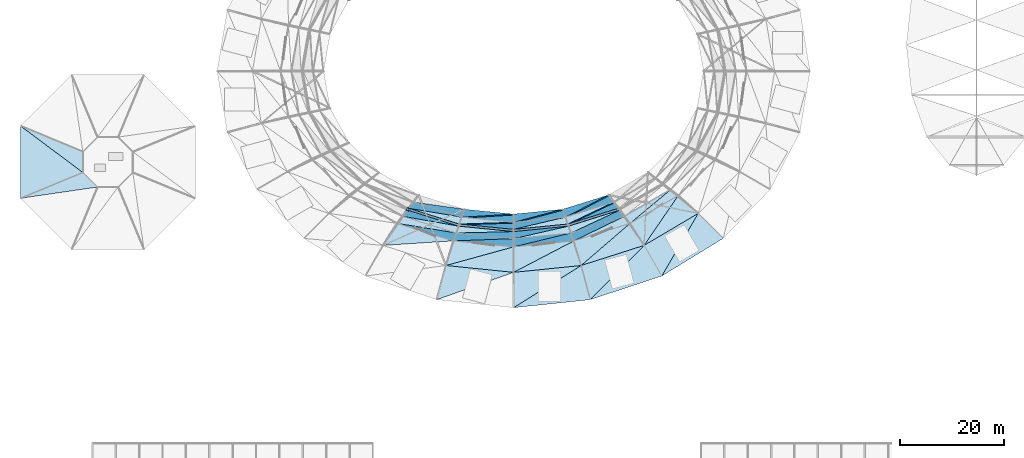
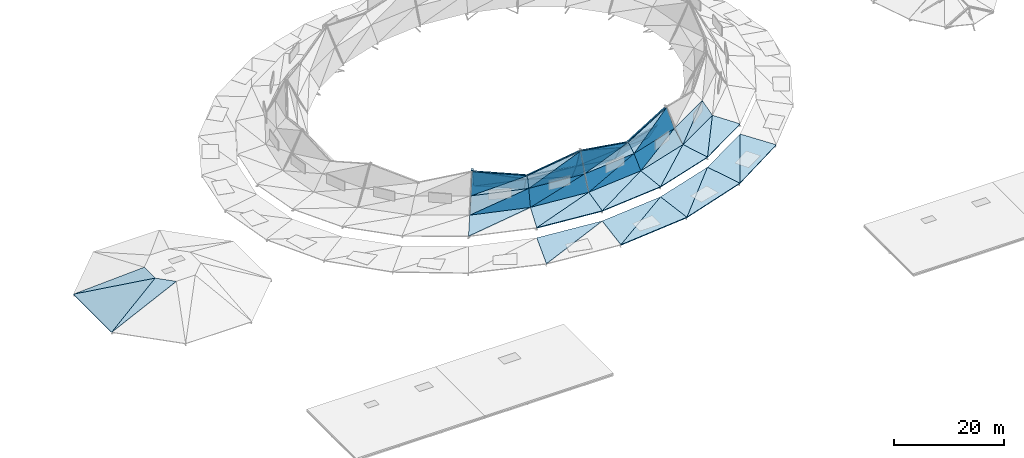
# One storey, part 26 of 36: 52 slabs, 1 plate.
"""IFC4 building model written with IfcOpenShell, lengths in metres."""

from ifc_helpers import new_model, si_unit, direction, frame, origin, origin_2d, place, context, subcontext, project, spatial, polyline, rectangle, outline, extrude, material, layer, layer_set, type_object, element, save


model = new_model("IFC4")

# Units and contexts
model_context = context("Model", 3, precision=1e-05, world=origin(), true_north=direction((0.0, 1.0)))
body_context = subcontext(model_context, "Body", "Model", "MODEL_VIEW")
ifc_project = project(units=[si_unit("LENGTHUNIT", "METRE"), si_unit("AREAUNIT", "SQUARE_METRE"), si_unit("VOLUMEUNIT", "CUBIC_METRE"), si_unit("PLANEANGLEUNIT", "RADIAN"), si_unit("MASSUNIT", "GRAM", prefix="KILO")], contexts=[model_context])

# Site, building, storey
site_placement = place(None, origin())
site = spatial("IfcSite", under=ifc_project, at=site_placement, CompositionType="ELEMENT")
building_placement = place(site_placement, origin())
building = spatial("IfcBuilding", under=site, at=building_placement, Name="Kildeholm Park Wholesale Market", CompositionType="ELEMENT")
storey_placement = place(building_placement, frame((0.0, 0.0, 17.39990234375)))
storey = spatial("IfcBuildingStorey", under=building, at=storey_placement, Name="Roof", CompositionType="ELEMENT", Elevation=17.39990234375)

# Slabs
ifc_material_1 = material(Name="Concrete C35/45", Category="concrete")
ifc_layer_1 = layer(ifc_material_1, 0.219970703125)
ifc_layer_set_1 = layer_set([ifc_layer_1], Name="Concrete C35/45")
slab_type = type_object("IfcSlabType", Name="Slab S-RF2 220 mm", PredefinedType="ROOF", material=ifc_layer_set_1)
slab_1_placement = place(storey_placement, frame((73.89990234375, 55.985107421875, -4.199951171875), z_axis=(-0.068746010816, -0.220024023769, 0.973069069985), x_axis=(0.994361215476, 0.063831673376, 0.084683473184)))
element("IfcSlab", 1, at=slab_1_placement, inside=storey, type_object=slab_type, Name="Upper white ceramic rim band 2 sector 17B SLB-0208", PredefinedType="ROOF", context=body_context, shape_type="SweptSolid", body=[
    extrude(outline(polyline([(0.0, 0.0), (13.58171129658954, -5.551115123125783e-17), (3.0532005705428262, 4.158632876396745), (0.0, 0.0)])), origin(), (0.0, 0.0, -1.0), 0.219970703125),
])
slab_2_placement = place(storey_placement, frame((76.60009765625, 60.22802734375, -3.0498046875), z_axis=(-0.264595419981, -0.846846941142, 0.461345339202), x_axis=(0.95449417592, -0.298229556107, 0.0)))
element("IfcSlab", 2, at=slab_2_placement, inside=storey, type_object=slab_type, Name="Arched gable roof facet 17-LOA SLB-0209", PredefinedType="ROOF", context=body_context, shape_type="SweptSolid", body=[
    extrude(outline(polyline([(0.0, 0.0), (11.320060313846767, 2.220446049250313e-16), (11.378889063432258, 3.4938924416241215), (0.0, 0.0)])), origin(), (0.0, 0.0, -1.0), 0.219970703125),
])
slab_3_placement = place(storey_placement, frame((76.60009765625, 60.22802734375, -3.0498046875), z_axis=(-0.264565280013, -0.846950011686, 0.461173384225), x_axis=(0.95283517462, -0.15583867868, 0.260421650856)))
element("IfcSlab", 3, at=slab_3_placement, inside=storey, type_object=slab_type, Name="Arched gable roof facet 17-LOB SLB-0210", PredefinedType="ROOF", context=body_context, shape_type="SweptSolid", body=[
    extrude(outline(polyline([(0.0, 0.0), (11.903209681070749, 4.440892098500626e-16), (1.5826645482760626, 3.168578160197448), (0.0, 0.0)])), origin(), (0.0, 0.0, -1.0), 0.219970703125),
])
slab_4_placement = place(storey_placement, frame((77.636962890625, 61.592041015625, 0.050048828125), z_axis=(-0.238539840632, -0.763635049924, 0.599966878219), x_axis=(0.954514174424, -0.298165542651, 0.0)))
element("IfcSlab", 4, at=slab_4_placement, inside=storey, type_object=slab_type, Name="Arched gable roof facet 17-UOA SLB-0211", PredefinedType="ROOF", context=body_context, shape_type="SweptSolid", body=[
    extrude(outline(polyline([(0.0, 0.0), (10.795996452173016, 0.0), (10.847218252717235, 2.3210949214220458), (0.0, 0.0)])), origin(), (0.0, 0.0, -1.0), 0.219970703125),
])
slab_5_placement = place(storey_placement, frame((77.636962890625, 61.592041015625, 0.050048828125), z_axis=(-0.216232316131, -0.928703280996, 0.301253715874), x_axis=(0.970816081445, -0.171736066278, 0.167400297335)))
element("IfcSlab", 5, at=slab_5_placement, inside=storey, type_object=slab_type, Name="Arched gable roof facet 17-UOB SLB-0212", PredefinedType="ROOF", context=body_context, shape_type="SweptSolid", body=[
    extrude(outline(polyline([(0.0, 0.0), (11.092773569145509, 0.0), (1.3967513247679428, 4.347472887092597), (0.0, 0.0)])), origin(), (0.0, 0.0, -1.0), 0.219970703125),
])
slab_6_placement = place(storey_placement, frame((78.80810546875, 63.131103515625, 4.364990234375), z_axis=(0.371685550857, 0.711491049869, 0.596347497052), x_axis=(0.928342183924, -0.288683692333, -0.234184788849)))
element("IfcSlab", 6, at=slab_6_placement, inside=storey, type_object=slab_type, Name="Arched gable roof facet 17-UIA SLB-0213", PredefinedType="ROOF", context=body_context, shape_type="SweptSolid", body=[
    extrude(outline(polyline([(0.0, 0.0), (10.496018228092371, -2.220446049250313e-16), (10.98241773089779, 2.270136742747636), (0.0, 0.0)])), origin(), (0.0, 0.0, -1.0), 0.219970703125),
])
slab_7_placement = place(storey_placement, frame((78.80810546875, 63.131103515625, 4.364990234375), z_axis=(0.283428135376, 0.907665562369, 0.309534681365), x_axis=(0.910243546175, -0.153020709032, -0.384761418614)))
element("IfcSlab", 7, at=slab_7_placement, inside=storey, type_object=slab_type, Name="Arched gable roof facet 17-UIB SLB-0214", PredefinedType="ROOF", context=body_context, shape_type="SweptSolid", body=[
    extrude(outline(polyline([(0.0, 0.0), (11.214589606700326, 0.0), (2.3018615824520983, 3.943656447162411), (0.0, 0.0)])), origin(), (0.0, 0.0, -1.0), 0.219970703125),
])
slab_8_placement = place(storey_placement, frame((79.712890625, 64.320068359375, 0.050048828125), z_axis=(0.266998274301, 0.855049688251, 0.444524411189), x_axis=(0.954545031131, -0.298066743437, 0.0)))
element("IfcSlab", 8, at=slab_8_placement, inside=storey, type_object=slab_type, Name="Arched gable roof facet 17-LIA SLB-0215", PredefinedType="ROOF", context=body_context, shape_type="SweptSolid", body=[
    extrude(outline(polyline([(0.0, 0.0), (9.746237582137292, 2.220446049250313e-16), (9.805050190747624, 3.6281766940602065), (0.0, 0.0)])), origin(), (0.0, 0.0, -1.0), 0.219970703125),
])
slab_9_placement = place(storey_placement, frame((84.2470703125, 45.550048828125, -7.599853515625), z_axis=(-0.017050073815, -0.167972580225, 0.985644209274), x_axis=(0.939593745358, 0.334365259485, 0.073235694391)))
element("IfcSlab", 9, at=slab_9_placement, inside=storey, type_object=slab_type, Name="Outer white ceramic rim band 1 sector 18B SLB-0218", PredefinedType="ROOF", context=body_context, shape_type="SweptSolid", body=[
    extrude(outline(polyline([(0.0, 0.0), (15.701391969009643, 1.3877787807814457e-16), (3.9343025152788145, 5.664885967479753), (0.0, 0.0)])), origin(), (0.0, 0.0, -1.0), 0.219970703125),
])
slab_10_placement = place(storey_placement, frame((86.007080078125, 52.118896484375, -4.199951171875), z_axis=(-0.023189453484, -0.228456039426, 0.973278011309), x_axis=(0.994887827563, -0.100986189979, 0.0)))
element("IfcSlab", 10, at=slab_10_placement, inside=storey, type_object=slab_type, Name="Upper white ceramic rim band 2 sector 18A SLB-0219", PredefinedType="ROOF", context=body_context, shape_type="SweptSolid", body=[
    extrude(outline(polyline([(0.0, 0.0), (13.059683274744929, 0.0), (12.564860805780054, 5.008695502624852), (0.0, 0.0)])), origin(), (0.0, 0.0, -1.0), 0.219970703125),
])
slab_11_placement = place(storey_placement, frame((86.007080078125, 52.118896484375, -4.199951171875), z_axis=(-0.022822949382, -0.229694921593, 0.972995044168), x_axis=(0.960562024672, 0.264746120331, 0.085029927248)))
element("IfcSlab", 11, at=slab_11_placement, inside=storey, type_object=slab_type, Name="Upper white ceramic rim band 2 sector 18B SLB-0220", PredefinedType="ROOF", context=body_context, shape_type="SweptSolid", body=[
    extrude(outline(polyline([(0.0, 0.0), (13.526372673656532, 2.7755575615628914e-17), (2.693698040867451, 4.292300014721367), (0.0, 0.0)])), origin(), (0.0, 0.0, -1.0), 0.219970703125),
])
slab_12_placement = place(storey_placement, frame((87.405029296875, 56.85205078125, -3.0498046875), z_axis=(-0.088238660286, -0.888052276533, 0.451195182792), x_axis=(0.995099849345, -0.098875122419, 0.0)))
element("IfcSlab", 12, at=slab_12_placement, inside=storey, type_object=slab_type, Name="Arched gable roof facet 18-LOA SLB-0221", PredefinedType="ROOF", context=body_context, shape_type="SweptSolid", body=[
    extrude(outline(polyline([(0.0, 0.0), (11.652067589756296, 0.0), (11.496344099832749, 3.473515971866135), (0.0, 0.0)])), origin(), (0.0, 0.0, -1.0), 0.219970703125),
])
slab_13_placement = place(storey_placement, frame((87.405029296875, 56.85205078125, -3.0498046875), z_axis=(-0.088197271942, -0.888129665478, 0.451050926748), x_axis=(0.965472672543, 0.035209371251, 0.258113964653)))
element("IfcSlab", 13, at=slab_13_placement, inside=storey, type_object=slab_type, Name="Arched gable roof facet 18-LOB SLB-0222", PredefinedType="ROOF", context=body_context, shape_type="SweptSolid", body=[
    extrude(outline(polyline([(0.0, 0.0), (12.009631171212895, 4.440892098500626e-16), (1.3719975095264834, 3.213777846906827), (0.0, 0.0)])), origin(), (0.0, 0.0, -1.0), 0.219970703125),
])
slab_14_placement = place(storey_placement, frame((87.94189453125, 58.373046875, 0.050048828125), z_axis=(-0.094212118323, -0.94869801852, 0.301821381644), x_axis=(0.995105258288, -0.098820670548, 0.0)))
element("IfcSlab", 14, at=slab_14_placement, inside=storey, type_object=slab_type, Name="Arched gable roof facet 18-UOA SLB-0223", PredefinedType="ROOF", context=body_context, shape_type="SweptSolid", body=[
    extrude(outline(polyline([(0.0, 0.0), (11.11249827759325, 0.0), (10.978598199092573, 4.467371337262293), (0.0, 0.0)])), origin(), (0.0, 0.0, -1.0), 0.219970703125),
])
slab_15_placement = place(storey_placement, frame((87.94189453125, 58.373046875, 0.050048828125), z_axis=(-0.212886979308, -0.771718054416, 0.599274877272), x_axis=(0.932959131402, 0.021668940836, 0.359329536966)))
element("IfcSlab", 15, at=slab_15_placement, inside=storey, type_object=slab_type, Name="Arched gable roof facet 18-UOB SLB-0224", PredefinedType="ROOF", context=body_context, shape_type="SweptSolid", body=[
    extrude(outline(polyline([(0.0, 0.0), (11.852722264615474, 0.0), (1.1287202164394903, 2.0288163988155743), (0.0, 0.0)])), origin(), (0.0, 0.0, -1.0), 0.219970703125),
])
slab_16_placement = place(storey_placement, frame((88.552001953125, 60.10107421875, 1.906982421875), z_axis=(0.02432655247, 0.952654533803, 0.303080118235), x_axis=(0.970098530219, -0.095729082676, 0.223035388219)))
element("IfcSlab", 16, at=slab_16_placement, inside=storey, type_object=slab_type, Name="Arched gable roof facet 18-UIA SLB-0225", PredefinedType="ROOF", context=body_context, shape_type="SweptSolid", body=[
    extrude(outline(polyline([(0.0, 0.0), (10.770038013067964, 0.0), (9.690411851855426, 4.337020088498629), (0.0, 0.0)])), origin(), (0.0, 0.0, -1.0), 0.219970703125),
])
slab_17_placement = place(storey_placement, frame((88.552001953125, 60.10107421875, 1.906982421875), z_axis=(0.079743650373, 0.804201439788, 0.588983017131), x_axis=(0.984111911654, 0.030515632825, -0.174907236828)))
element("IfcSlab", 17, at=slab_17_placement, inside=storey, type_object=slab_type, Name="Arched gable roof facet 18-UIB SLB-0226", PredefinedType="ROOF", context=body_context, shape_type="SweptSolid", body=[
    extrude(outline(polyline([(0.0, 0.0), (10.616676744943344, -2.220446049250313e-16), (0.821625078913787, 2.171413718479764), (0.0, 0.0)])), origin(), (0.0, 0.0, -1.0), 0.219970703125),
])
slab_18_placement = place(storey_placement, frame((89.01611328125, 61.4150390625, 0.050048828125), z_axis=(0.088880023115, 0.89634023804, 0.434366802554), x_axis=(0.995119725623, -0.098674878647, 0.0)))
element("IfcSlab", 18, at=slab_18_placement, inside=storey, type_object=slab_type, Name="Arched gable roof facet 18-LIA SLB-0227", PredefinedType="ROOF", context=body_context, shape_type="SweptSolid", body=[
    extrude(outline(polyline([(0.0, 0.0), (10.032849778452308, -5.551115123125783e-17), (9.877441662692178, 3.608160128285096), (0.0, 0.0)])), origin(), (0.0, 0.0, -1.0), 0.219970703125),
])
slab_19_placement = place(storey_placement, frame((89.01611328125, 61.4150390625, 0.050048828125), z_axis=(0.088901271985, 0.896309202565, 0.434426492329), x_axis=(0.949415029273, 0.055626703432, -0.309057878165)))
element("IfcSlab", 19, at=slab_19_placement, inside=storey, type_object=slab_type, Name="Arched gable roof facet 18-LIB SLB-0228", PredefinedType="ROOF", context=body_context, shape_type="SweptSolid", body=[
    extrude(outline(polyline([(0.0, 0.0), (10.515829653966136, 0.0), (1.5988083478266926, 3.257443309279977), (0.0, 0.0)])), origin(), (0.0, 0.0, -1.0), 0.219970703125),
])
slab_20_placement = place(storey_placement, frame((99.0, 44.0, -7.599853515625), z_axis=(0.017632307768, -0.1678193564, 0.985660065814), x_axis=(0.99452572496, 0.104492020715, 0.0)))
element("IfcSlab", 20, at=slab_20_placement, inside=storey, type_object=slab_type, Name="Outer white ceramic rim band 1 sector 19A SLB-0229", PredefinedType="ROOF", context=body_context, shape_type="SweptSolid", body=[
    extrude(outline(polyline([(0.0, 0.0), (14.834135827000187, -2.220446049250313e-16), (13.770153004276583, 6.814514645903062), (0.0, 0.0)])), origin(), (0.0, 0.0, -1.0), 0.219970703125),
])
slab_21_placement = place(storey_placement, frame((99.0, 44.0, -7.599853515625), z_axis=(0.016922023574, -0.166711064899, 0.985860571257), x_axis=(0.84566900647, 0.528433882827, 0.07484359008)))
element("IfcSlab", 21, at=slab_21_placement, inside=storey, type_object=slab_type, Name="Outer white ceramic rim band 1 sector 19B SLB-0230", PredefinedType="ROOF", context=body_context, shape_type="SweptSolid", body=[
    extrude(outline(polyline([(0.0, 0.0), (15.364072494635488, 1.8041124150158794e-15), (3.67943902530677, 5.833066768355692), (0.0, 0.0)])), origin(), (0.0, 0.0, -1.0), 0.219970703125),
])
slab_22_placement = place(storey_placement, frame((99.0, 50.800048828125, -4.199951171875), z_axis=(0.023301376591, -0.22955867471, 0.973015858408), x_axis=(0.994887827563, 0.100986189979, 0.0)))
element("IfcSlab", 22, at=slab_22_placement, inside=storey, type_object=slab_type, Name="Upper white ceramic rim band 2 sector 19A SLB-0231", PredefinedType="ROOF", context=body_context, shape_type="SweptSolid", body=[
    extrude(outline(polyline([(0.0, 0.0), (13.059683274744929, -2.220446049250313e-16), (12.146863832483524, 4.984637320566036), (0.0, 0.0)])), origin(), (0.0, 0.0, -1.0), 0.219970703125),
])
slab_23_placement = place(storey_placement, frame((99.0, 50.800048828125, -4.199951171875), z_axis=(0.022700106567, -0.228458605886, 0.973288945051), x_axis=(0.883100143021, 0.460934652377, 0.087597851763)))
element("IfcSlab", 23, at=slab_23_placement, inside=storey, type_object=slab_type, Name="Upper white ceramic rim band 2 sector 19B SLB-0232", PredefinedType="ROOF", context=body_context, shape_type="SweptSolid", body=[
    extrude(outline(polyline([(0.0, 0.0), (13.129848063952455, -7.216449660063518e-16), (2.359285144743097, 4.445858018380868), (0.0, 0.0)])), origin(), (0.0, 0.0, -1.0), 0.219970703125),
])
slab_24_placement = place(storey_placement, frame((99.0, 55.699951171875, -3.0498046875), z_axis=(0.088245629406, -0.888122415208, 0.451055744334), x_axis=(0.995099849345, 0.098875122419, 0.0)))
element("IfcSlab", 24, at=slab_24_placement, inside=storey, type_object=slab_type, Name="Arched gable roof facet 19-LOA SLB-0233", PredefinedType="ROOF", context=body_context, shape_type="SweptSolid", body=[
    extrude(outline(polyline([(0.0, 0.0), (11.652067589756296, 0.0), (11.268221750879924, 3.473241654045), (0.0, 0.0)])), origin(), (0.0, 0.0, -1.0), 0.219970703125),
])
slab_25_placement = place(storey_placement, frame((99.0, 55.699951171875, -3.0498046875), z_axis=(0.088189968471, -0.888056120922, 0.451197136022), x_axis=(0.937814056034, 0.226699476741, 0.262891885668)))
element("IfcSlab", 25, at=slab_25_placement, inside=storey, type_object=slab_type, Name="Arched gable roof facet 19-LOB SLB-0234", PredefinedType="ROOF", context=body_context, shape_type="SweptSolid", body=[
    extrude(outline(polyline([(0.0, 0.0), (11.791362474896474, 0.0), (1.1719669425754593, 3.2735388339889044), (0.0, 0.0)])), origin(), (0.0, 0.0, -1.0), 0.219970703125),
])
slab_26_placement = place(storey_placement, frame((99.0, 57.27490234375, 0.050048828125), z_axis=(0.079860475444, -0.804179718709, 0.588996845899), x_axis=(0.995105258288, 0.098820670548, 0.0)))
element("IfcSlab", 26, at=slab_26_placement, inside=storey, type_object=slab_type, Name="Arched gable roof facet 19-UOA SLB-0235", PredefinedType="ROOF", context=body_context, shape_type="SweptSolid", body=[
    extrude(outline(polyline([(0.0, 0.0), (11.11249827759325, -1.1102230246251565e-16), (10.78050554148026, 2.2978002807621065), (0.0, 0.0)])), origin(), (0.0, 0.0, -1.0), 0.219970703125),
])
slab_27_placement = place(storey_placement, frame((99.0, 57.27490234375, 0.050048828125), z_axis=(0.161675292119, -0.940399716802, 0.299181337246), x_axis=(0.9611098861, 0.218831739559, 0.168465001122)))
element("IfcSlab", 27, at=slab_27_placement, inside=storey, type_object=slab_type, Name="Arched gable roof facet 19-UOB SLB-0236", PredefinedType="ROOF", context=body_context, shape_type="SweptSolid", body=[
    extrude(outline(polyline([(0.0, 0.0), (11.022666912329203, 4.440892098500626e-16), (1.0140107663864273, 4.352828742515329), (0.0, 0.0)])), origin(), (0.0, 0.0, -1.0), 0.219970703125),
])
slab_28_placement = place(storey_placement, frame((99.0, 59.070068359375, 4.30908203125), z_axis=(0.049699044985, 0.821113153064, 0.568597568403), x_axis=(0.970098530219, 0.095729082676, -0.223035388219)))
element("IfcSlab", 28, at=slab_28_placement, inside=storey, type_object=slab_type, Name="Arched gable roof facet 19-UIA SLB-0237", PredefinedType="ROOF", context=body_context, shape_type="SweptSolid", body=[
    extrude(outline(polyline([(0.0, 0.0), (10.770038013067964, 0.0), (10.859750849935045, 2.3199260578741434), (0.0, 0.0)])), origin(), (0.0, 0.0, -1.0), 0.219970703125),
])
slab_29_placement = place(storey_placement, frame((99.0, 59.070068359375, 4.30908203125), z_axis=(-0.094073000911, 0.948710554682, 0.301825369933), x_axis=(0.899061701715, 0.211167595368, -0.383531358791)))
element("IfcSlab", 29, at=slab_29_placement, inside=storey, type_object=slab_type, Name="Arched gable roof facet 19-UIB SLB-0238", PredefinedType="ROOF", context=body_context, shape_type="SweptSolid", body=[
    extrude(outline(polyline([(0.0, 0.0), (11.104784799205628, 4.440892098500626e-16), (1.919600758888313, 4.036145292539725), (0.0, 0.0)])), origin(), (0.0, 0.0, -1.0), 0.219970703125),
])
slab_30_placement = place(storey_placement, frame((99.0, 60.425048828125, 0.050048828125), z_axis=(-0.088877293012, 0.896312705411, 0.43442417164), x_axis=(0.995119725623, 0.098674878647, 0.0)))
element("IfcSlab", 30, at=slab_30_placement, inside=storey, type_object=slab_type, Name="Arched gable roof facet 19-LIA SLB-0239", PredefinedType="ROOF", context=body_context, shape_type="SweptSolid", body=[
    extrude(outline(polyline([(0.0, 0.0), (10.032849778452308, 0.0), (9.648785060884464, 3.6082709625210714), (0.0, 0.0)])), origin(), (0.0, 0.0, -1.0), 0.219970703125),
])
slab_31_placement = place(storey_placement, frame((99.0, 60.425048828125, 0.050048828125), z_axis=(-0.088904158013, 0.896338299716, 0.434365863241), x_axis=(0.917062634957, 0.243846942785, -0.315491350214)))
element("IfcSlab", 31, at=slab_31_placement, inside=storey, type_object=slab_type, Name="Arched gable roof facet 19-LIB SLB-0240", PredefinedType="ROOF", context=body_context, shape_type="SweptSolid", body=[
    extrude(outline(polyline([(0.0, 0.0), (10.301391774421548, 0.0), (1.409393916494514, 3.325143603205535), (0.0, 0.0)])), origin(), (0.0, 0.0, -1.0), 0.219970703125),
])
slab_32_placement = place(storey_placement, frame((113.7529296875, 45.550048828125, -7.599853515625), z_axis=(0.053426686324, -0.161565513079, 0.985414721918), x_axis=(0.949435985478, 0.313960681424, 0.0)))
element("IfcSlab", 32, at=slab_32_placement, inside=storey, type_object=slab_type, Name="Outer white ceramic rim band 1 sector 20A SLB-0241", PredefinedType="ROOF", context=body_context, shape_type="SweptSolid", body=[
    extrude(outline(polyline([(0.0, 0.0), (14.479196620699776, 0.0), (13.100171724101912, 6.757374418198555), (0.0, 0.0)])), origin(), (0.0, 0.0, -1.0), 0.219970703125),
])
slab_33_placement = place(storey_placement, frame((113.7529296875, 45.550048828125, -7.599853515625), z_axis=(0.050772176042, -0.158994883943, 0.985973028546), x_axis=(0.701964278911, 0.707926884272, 0.078010753473)))
element("IfcSlab", 33, at=slab_33_placement, inside=storey, type_object=slab_type, Name="Outer white ceramic rim band 1 sector 20B SLB-0242", PredefinedType="ROOF", context=body_context, shape_type="SweptSolid", body=[
    extrude(outline(polyline([(0.0, 0.0), (14.74030556768358, 1.887379141862766e-15), (3.504504616799716, 5.940380181192759), (0.0, 0.0)])), origin(), (0.0, 0.0, -1.0), 0.219970703125),
])
slab_34_placement = place(storey_placement, frame((111.992919921875, 52.118896484375, -4.199951171875), z_axis=(0.070011109766, -0.219242292525, 0.973155312207), x_axis=(0.952608649326, 0.304198555599, 0.0)))
element("IfcSlab", 34, at=slab_34_placement, inside=storey, type_object=slab_type, Name="Upper white ceramic rim band 2 sector 20A SLB-0243", PredefinedType="ROOF", context=body_context, shape_type="SweptSolid", body=[
    extrude(outline(polyline([(0.0, 0.0), (12.709498011526277, -4.440892098500626e-16), (11.4279587137269, 4.997391134662843), (0.0, 0.0)])), origin(), (0.0, 0.0, -1.0), 0.219970703125),
])
slab_35_placement = place(storey_placement, frame((111.992919921875, 52.118896484375, -4.199951171875), z_axis=(0.067695227666, -0.216660955365, 0.973897010249), x_axis=(0.754196293555, 0.650142220301, 0.092211952426)))
element("IfcSlab", 35, at=slab_35_placement, inside=storey, type_object=slab_type, Name="Upper white ceramic rim band 2 sector 20B SLB-0244", PredefinedType="ROOF", context=body_context, shape_type="SweptSolid", body=[
    extrude(outline(polyline([(0.0, 0.0), (12.472856870639276, -7.494005416219807e-16), (2.1289525771393296, 4.598631261151734), (0.0, 0.0)])), origin(), (0.0, 0.0, -1.0), 0.219970703125),
])
slab_36_placement = place(storey_placement, frame((110.594970703125, 56.85205078125, -3.0498046875), z_axis=(0.264620714116, -0.846927895908, 0.461182194793), x_axis=(0.95449417592, 0.298229556107, 0.0)))
element("IfcSlab", 36, at=slab_36_placement, inside=storey, type_object=slab_type, Name="Arched gable roof facet 20-LOA SLB-0245", PredefinedType="ROOF", context=body_context, shape_type="SweptSolid", body=[
    extrude(outline(polyline([(0.0, 0.0), (11.320060313846767, -4.440892098500626e-16), (10.737167678309149, 3.4935584731167912), (0.0, 0.0)])), origin(), (0.0, 0.0, -1.0), 0.219970703125),
])
slab_37_placement = place(storey_placement, frame((110.594970703125, 56.85205078125, -3.0498046875), z_axis=(0.264538763861, -0.84686512581, 0.461344449518), x_axis=(0.865102590188, 0.419794221157, 0.274536555551)))
element("IfcSlab", 37, at=slab_37_placement, inside=storey, type_object=slab_type, Name="Arched gable roof facet 20-LOB SLB-0246", PredefinedType="ROOF", context=body_context, shape_type="SweptSolid", body=[
    extrude(outline(polyline([(0.0, 0.0), (11.291223164795426, 4.440892098500626e-16), (1.0250849726127016, 3.3406505375958693), (0.0, 0.0)])), origin(), (0.0, 0.0, -1.0), 0.219970703125),
])
slab_38_placement = place(storey_placement, frame((110.05810546875, 58.373046875, 0.050048828125), z_axis=(0.283519655185, -0.907628450944, 0.309559687556), x_axis=(0.954514174424, 0.298165542651, 0.0)))
element("IfcSlab", 38, at=slab_38_placement, inside=storey, type_object=slab_type, Name="Arched gable roof facet 20-UOA SLB-0247", PredefinedType="ROOF", context=body_context, shape_type="SweptSolid", body=[
    extrude(outline(polyline([(0.0, 0.0), (10.795996452173016, 0.0), (10.286641507867474, 4.537840048741002), (0.0, 0.0)])), origin(), (0.0, 0.0, -1.0), 0.219970703125),
])
slab_39_placement = place(storey_placement, frame((110.05810546875, 58.373046875, 0.050048828125), z_axis=(0.103373457436, -0.799568902247, 0.591610935377), x_axis=(0.836060689353, 0.392059522785, 0.383786209122)))
element("IfcSlab", 39, at=slab_39_placement, inside=storey, type_object=slab_type, Name="Arched gable roof facet 20-UOB SLB-0248", PredefinedType="ROOF", context=body_context, shape_type="SweptSolid", body=[
    extrude(outline(polyline([(0.0, 0.0), (11.243086134124374, 0.0), (0.8397926972051458, 2.1644522477576427), (0.0, 0.0)])), origin(), (0.0, 0.0, -1.0), 0.219970703125),
])
slab_40_placement = place(storey_placement, frame((109.447998046875, 60.10107421875, 1.906982421875), z_axis=(-0.353586747877, 0.880168697571, 0.316669347335), x_axis=(0.928342183924, 0.288683692333, 0.234184788849)))
element("IfcSlab", 40, at=slab_40_placement, inside=storey, type_object=slab_type, Name="Arched gable roof facet 20-UIA SLB-0249", PredefinedType="ROOF", context=body_context, shape_type="SweptSolid", body=[
    extrude(outline(polyline([(0.0, 0.0), (10.496018228092371, 0.0), (8.988809119186357, 4.31037279362763), (0.0, 0.0)])), origin(), (0.0, 0.0, -1.0), 0.219970703125),
])
slab_41_placement = place(storey_placement, frame((109.447998046875, 60.10107421875, 1.906982421875), z_axis=(-0.238461126058, 0.763660784062, 0.599965414207), x_axis=(0.886672973797, 0.42321766773, -0.186273571018)))
element("IfcSlab", 41, at=slab_41_placement, inside=storey, type_object=slab_type, Name="Arched gable roof facet 20-UIB SLB-0250", PredefinedType="ROOF", context=body_context, shape_type="SweptSolid", body=[
    extrude(outline(polyline([(0.0, 0.0), (9.968851639041134, -2.220446049250313e-16), (0.49047581682088903, 2.269259522446934), (0.0, 0.0)])), origin(), (0.0, 0.0, -1.0), 0.219970703125),
])
slab_42_placement = place(storey_placement, frame((108.98388671875, 61.4150390625, 0.050048828125), z_axis=(-0.267052985154, 0.855224897242, 0.444154340582), x_axis=(0.954545031131, 0.298066743437, 0.0)))
element("IfcSlab", 42, at=slab_42_placement, inside=storey, type_object=slab_type, Name="Arched gable roof facet 20-LIA SLB-0251", PredefinedType="ROOF", context=body_context, shape_type="SweptSolid", body=[
    extrude(outline(polyline([(0.0, 0.0), (9.746237582137292, -2.220446049250313e-16), (9.1628370946717, 3.6274333934615144), (0.0, 0.0)])), origin(), (0.0, 0.0, -1.0), 0.219970703125),
])
slab_43_placement = place(storey_placement, frame((108.98388671875, 61.4150390625, 0.050048828125), z_axis=(-0.26684351222, 0.855099228591, 0.444522045854), x_axis=(0.838795863325, 0.433197012999, -0.329790611749)))
element("IfcSlab", 43, at=slab_43_placement, inside=storey, type_object=slab_type, Name="Arched gable roof facet 20-LIB SLB-0252", PredefinedType="ROOF", context=body_context, shape_type="SweptSolid", body=[
    extrude(outline(polyline([(0.0, 0.0), (9.85473777669865, 0.0), (1.2808131589792189, 3.3950909705100507), (0.0, 0.0)])), origin(), (0.0, 0.0, -1.0), 0.219970703125),
])
slab_44_placement = place(storey_placement, frame((127.5, 50.095947265625, -7.599853515625), z_axis=(0.089504832172, -0.146121519009, 0.985209311111), x_axis=(0.852740373682, 0.522335002745, 0.0)))
element("IfcSlab", 44, at=slab_44_placement, inside=storey, type_object=slab_type, Name="Outer white ceramic rim band 1 sector 21A SLB-0253", PredefinedType="ROOF", context=body_context, shape_type="SweptSolid", body=[
    extrude(outline(polyline([(0.0, 0.0), (13.843523779284418, 0.0), (12.25510809694379, 6.710634826106966), (0.0, 0.0)])), origin(), (0.0, 0.0, -1.0), 0.219970703125),
])
slab_45_placement = place(storey_placement, frame((127.5, 50.095947265625, -7.599853515625), z_axis=(0.084890582583, -0.143515297733, 0.986000480885), x_axis=(0.50078781888, 0.861648601697, 0.08229974274)))
element("IfcSlab", 45, at=slab_45_placement, inside=storey, type_object=slab_type, Name="Outer white ceramic rim band 1 sector 21B SLB-0254", PredefinedType="ROOF", context=body_context, shape_type="SweptSolid", body=[
    extrude(outline(polyline([(0.0, 0.0), (13.97212561628104, 1.1102230246251565e-16), (3.4663936017349046, 5.962208826518267), (0.0, 0.0)])), origin(), (0.0, 0.0, -1.0), 0.219970703125),
])
slab_46_placement = place(storey_placement, frame((124.10009765625, 55.985107421875, -4.199951171875), z_axis=(0.115739904974, -0.195668900088, 0.9738161818), x_axis=(0.860700316594, 0.509111937609, 0.0)))
element("IfcSlab", 46, at=slab_46_placement, inside=storey, type_object=slab_type, Name="Upper white ceramic rim band 2 sector 21A SLB-0255", PredefinedType="ROOF", context=body_context, shape_type="SweptSolid", body=[
    extrude(outline(polyline([(0.0, 0.0), (12.079666355180176, 0.0), (10.55669044648926, 5.059217089607953), (0.0, 0.0)])), origin(), (0.0, 0.0, -1.0), 0.219970703125),
])
slab_47_placement = place(storey_placement, frame((124.10009765625, 55.985107421875, -4.199951171875), z_axis=(0.111800792124, -0.193090597304, 0.974790543714), x_axis=(0.561905513614, 0.821345983842, 0.098249522126)))
element("IfcSlab", 47, at=slab_47_placement, inside=storey, type_object=slab_type, Name="Upper white ceramic rim band 2 sector 21B SLB-0256", PredefinedType="ROOF", context=body_context, shape_type="SweptSolid", body=[
    extrude(outline(polyline([(0.0, 0.0), (11.706382478920583, -1.27675647831893e-15), (2.0806519461306276, 4.7209266678983415), (0.0, 0.0)])), origin(), (0.0, 0.0, -1.0), 0.219970703125),
])
slab_48_placement = place(storey_placement, frame((121.39990234375, 60.22802734375, -3.0498046875), z_axis=(0.439364266446, -0.758823860105, 0.480775821674), x_axis=(0.865403937833, 0.501074869039, 0.0)))
element("IfcSlab", 48, at=slab_48_placement, inside=storey, type_object=slab_type, Name="Arched gable roof facet 21-LOA SLB-0257", PredefinedType="ROOF", context=body_context, shape_type="SweptSolid", body=[
    extrude(outline(polyline([(0.0, 0.0), (10.721093082963066, 0.0), (10.008869144787349, 3.535241286111961), (0.0, 0.0)])), origin(), (0.0, 0.0, -1.0), 0.219970703125),
])
slab_49_placement = place(storey_placement, frame((121.39990234375, 60.22802734375, -3.0498046875), z_axis=(0.439322936979, -0.758805780138, 0.480842120736), x_axis=(0.735766063095, 0.611037730486, 0.292029437422)))
element("IfcSlab", 49, at=slab_49_placement, inside=storey, type_object=slab_type, Name="Arched gable roof facet 21-LOB SLB-0258", PredefinedType="ROOF", context=body_context, shape_type="SweptSolid", body=[
    extrude(outline(polyline([(0.0, 0.0), (10.614866579873096, 4.440892098500626e-16), (0.9758220452152311, 3.40477399627671), (0.0, 0.0)])), origin(), (0.0, 0.0, -1.0), 0.219970703125),
])
slab_50_placement = place(storey_placement, frame((4.18505859375, 78.965087890625, -6.599853515625), z_axis=(-0.371101024937, 0.0, 0.928592499049), x_axis=(0.0, -1.0, 0.0)))
element("IfcSlab", 50, at=slab_50_placement, inside=storey, type_object=slab_type, Name="Auction pavilion hipped roof facet 4A SLB-0329", PredefinedType="ROOF", context=body_context, shape_type="SweptSolid", body=[
    extrude(outline(polyline([(0.0, 0.0), (13.93017578125, 0.0), (8.955078125, 12.934614850345946), (0.0, 0.0)])), origin(), (0.0, 0.0, -1.0), 0.219970703125),
])
slab_51_placement = place(storey_placement, frame((4.18505859375, 78.965087890625, -6.599853515625), z_axis=(-0.371101024937, 0.0, 0.928592499049), x_axis=(0.763471977992, -0.569224793235, 0.305112558882)))
element("IfcSlab", 51, at=slab_51_placement, inside=storey, type_object=slab_type, Name="Auction pavilion hipped roof facet 4B SLB-0330", PredefinedType="ROOF", context=body_context, shape_type="SweptSolid", body=[
    extrude(outline(polyline([(0.0, 0.0), (15.732059164382878, 6.661338147750939e-16), (13.466555604981, 3.272268044333912), (0.0, 0.0)])), origin(), (0.0, 0.0, -1.0), 0.219970703125),
])
slab_52_placement = place(storey_placement, frame((4.18505859375, 65.034912109375, -6.599853515625), z_axis=(-0.26240826142, -0.26240826142, 0.92859238026), x_axis=(0.942354524477, 0.137373355247, 0.305117209389)))
element("IfcSlab", 52, at=slab_52_placement, inside=storey, type_object=slab_type, Name="Auction pavilion hipped roof facet 5B SLB-0332", PredefinedType="ROOF", context=body_context, shape_type="SweptSolid", body=[
    extrude(outline(polyline([(0.0, 0.0), (15.731819380927506, -4.440892098500626e-16), (13.466630670833373, 3.271959106007287), (0.0, 0.0)])), origin(), (0.0, 0.0, -1.0), 0.219970703125),
])

# Plate
ifc_material_2 = material(Name="Steel S355", Category="steel")
ifc_layer_2 = layer(ifc_material_2, 0.035888671875)
ifc_layer_set_2 = layer_set([ifc_layer_2], Name="Steel S355")
plate_type = type_object("IfcPlateType", Name="Steel connection plate GP-05 660x460x36", PredefinedType="SHEET", material=ifc_layer_set_2)
plate_placement = place(storey_placement, frame((78.675048828125, 62.9560546875, 4.64208984375), z_axis=(0.0, 0.0, 1.0), x_axis=(-0.5, -0.866025403784, 0.0)))
element("IfcPlate", 53, at=plate_placement, inside=storey, type_object=plate_type, Name="Arch crown gusset plate TR-17 PLT-0093", PredefinedType="SHEET", context=body_context, shape_type="SweptSolid", body=[
    extrude(rectangle(XDim=0.659912109375, YDim=0.4599609375, at=origin_2d()), origin(), (0.0, 0.0, 1.0), 0.035888671875),
])

save(model, "model.ifc")
